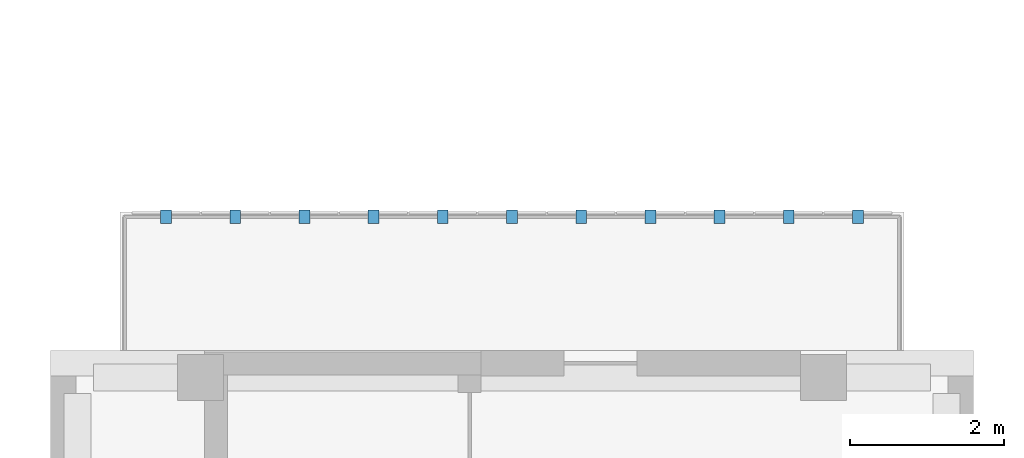
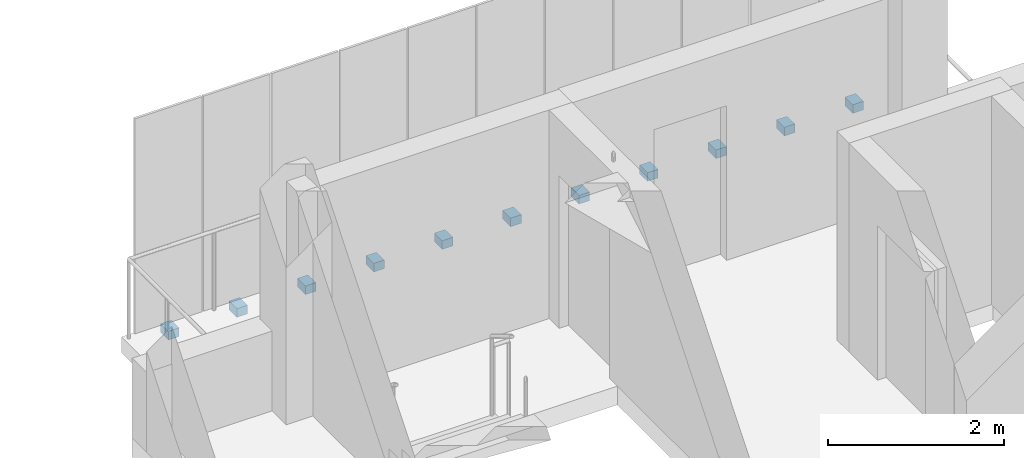
# One storey, part 23 of 35: 11 discrete accessories.
"""IFC4 building model written with IfcOpenShell, lengths in metres."""

from ifc_helpers import new_model, si_unit, derived_unit, direction, frame, origin, origin_2d, place, context, subcontext, project, spatial, rectangle, extrude, material, type_object, element, save


model = new_model("IFC4")

# Units and contexts
model_context = context("Model", 3, precision=1e-05, world=origin(), true_north=direction((0.0, 1.0)))
body_context = subcontext(model_context, "Body", "Model", "MODEL_VIEW")
ifc_project = project(units=[si_unit("LENGTHUNIT", "METRE"), si_unit("AREAUNIT", "SQUARE_METRE"), si_unit("VOLUMEUNIT", "CUBIC_METRE"), si_unit("PLANEANGLEUNIT", "RADIAN"), si_unit("MASSUNIT", "GRAM", prefix="KILO"), derived_unit("THERMALTRANSMITTANCEUNIT", [(si_unit("MASSUNIT", "GRAM", prefix="KILO"), 1), (si_unit("TIMEUNIT", "SECOND"), -3), (si_unit("THERMODYNAMICTEMPERATUREUNIT", "KELVIN"), -1)])], contexts=[model_context])

# Site, building, storey
site_placement = place(None, origin())
site = spatial("IfcSite", under=ifc_project, at=site_placement, CompositionType="ELEMENT")
building_placement = place(site_placement, origin())
building = spatial("IfcBuilding", under=site, at=building_placement, Name="Ochrekiln Boulevard Commons", CompositionType="ELEMENT")
storey_placement = place(building_placement, frame((0.0, 0.0, 30.97509765625)))
storey = spatial("IfcBuildingStorey", under=building, at=storey_placement, Name="L09", CompositionType="ELEMENT", Elevation=30.97509765625)

# Discrete accessories
ifc_material = material(Name="Steel A992 Grade 50", Category="steel")
discrete_accessory_type = type_object("IfcDiscreteAccessoryType", Name="ACC-BRK-CLEAT", PredefinedType="BRACKET", material=ifc_material)
for number, where, z_axis, x_axis, name in (
    (1, (155.699951171875, 52.139892578125, -0.14013671875), (0.0, 0.0, 1.0), (1.0, 0.0, 0.0), "Bronze Screen Slab-Edge Support Bracket 164"),
    (2, (156.60009765625, 52.139892578125, -0.14013671875), (0.0, 0.0, 1.0), (1.0, 0.0, 0.0), "Bronze Screen Slab-Edge Support Bracket 165"),
    (3, (157.5, 52.139892578125, -0.14013671875), (0.0, 0.0, 1.0), (1.0, 0.0, 0.0), "Bronze Screen Slab-Edge Support Bracket 166"),
    (4, (158.39990234375, 52.139892578125, -0.14013671875), (0.0, 0.0, 1.0), (1.0, 0.0, 0.0), "Bronze Screen Slab-Edge Support Bracket 167"),
    (5, (159.300048828125, 52.139892578125, -0.14013671875), (0.0, 0.0, 1.0), (1.0, 0.0, 0.0), "Bronze Screen Slab-Edge Support Bracket 168"),
    (6, (160.199951171875, 52.139892578125, -0.14013671875), (0.0, 0.0, 1.0), (1.0, 0.0, 0.0), "Bronze Screen Slab-Edge Support Bracket 169"),
    (7, (161.10009765625, 52.139892578125, -0.14013671875), (0.0, 0.0, 1.0), (1.0, 0.0, 0.0), "Bronze Screen Slab-Edge Support Bracket 170"),
    (8, (162.0, 52.139892578125, -0.14013671875), (0.0, 0.0, 1.0), (1.0, 0.0, 0.0), "Bronze Screen Slab-Edge Support Bracket 171"),
    (9, (162.89990234375, 52.139892578125, -0.14013671875), (0.0, 0.0, 1.0), (1.0, 0.0, 0.0), "Bronze Screen Slab-Edge Support Bracket 172"),
    (10, (163.800048828125, 52.139892578125, -0.14013671875), (0.0, 0.0, 1.0), (1.0, 0.0, 0.0), "Bronze Screen Slab-Edge Support Bracket 173"),
    (11, (164.699951171875, 52.139892578125, -0.14013671875), (0.0, 0.0, 1.0), (1.0, 0.0, 0.0), "Bronze Screen Slab-Edge Support Bracket 174"),
):
    element("IfcDiscreteAccessory", number, at=place(storey_placement, frame(where, z_axis=z_axis, x_axis=x_axis)), inside=storey, type_object=discrete_accessory_type, Name=name, PredefinedType="BRACKET", context=body_context, shape_type="SweptSolid", body=[
        extrude(rectangle(XDim=0.139892578125, YDim=0.179931640625, at=origin_2d()), origin(), (0.0, 0.0, 1.0), 0.1201171875),
    ])

save(model, "model.ifc")
